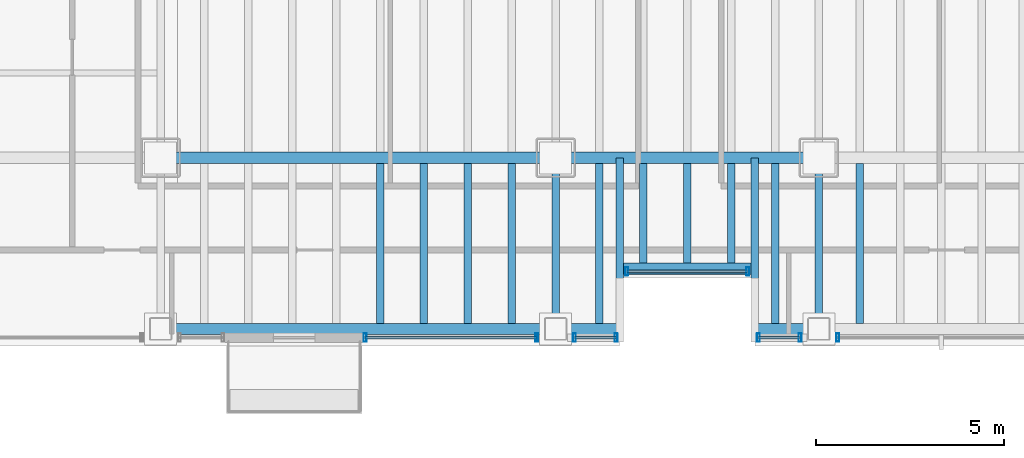
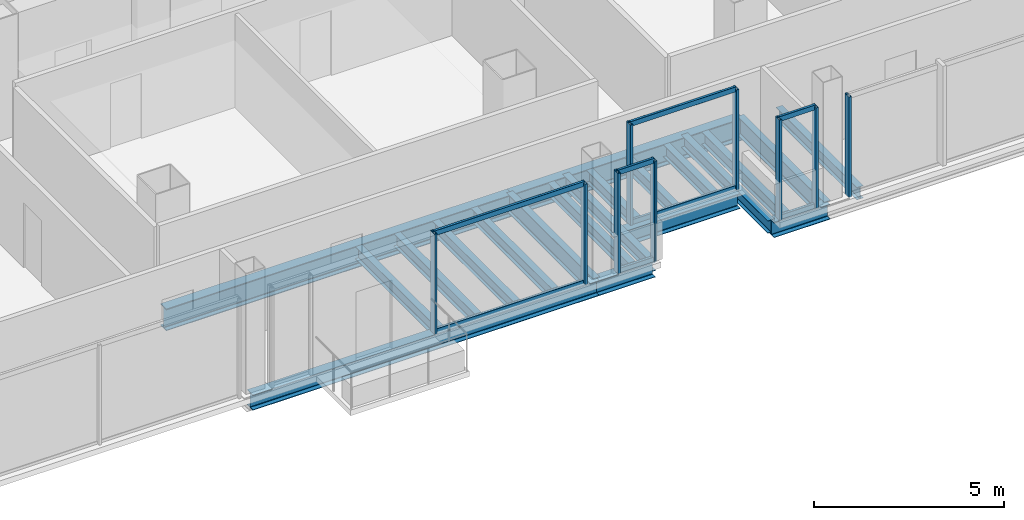
# One storey, part 4 of 21: 20 beams, 17 members, 5 elements without a shape of their own.
"""IFC4 building model written with IfcOpenShell, lengths in metres."""

from ifc_helpers import new_model, si_unit, direction, frame, origin, origin_2d, place, context, subcontext, project, spatial, hollow_rectangle, i_section, extrude, material, material_profile, profile_set, type_object, element, aggregate, save


model = new_model("IFC4")

# Units and contexts
model_context = context("Model", 3, precision=1e-05, world=origin(), true_north=direction((0.0, 1.0)))
body_context = subcontext(model_context, "Body", "Model", "MODEL_VIEW")
ifc_project = project(units=[si_unit("LENGTHUNIT", "METRE"), si_unit("AREAUNIT", "SQUARE_METRE"), si_unit("VOLUMEUNIT", "CUBIC_METRE"), si_unit("PLANEANGLEUNIT", "RADIAN"), si_unit("MASSUNIT", "GRAM", prefix="KILO")], contexts=[model_context])

# Site, building, storey
site_placement = place(None, origin())
site = spatial("IfcSite", under=ifc_project, at=site_placement, CompositionType="ELEMENT")
building_placement = place(site_placement, origin())
building = spatial("IfcBuilding", under=site, at=building_placement, Name="Noeulbin Bourse Tower", CompositionType="ELEMENT")
storey_placement = place(building_placement, frame((0.0, 0.0, 38.199951171875)))
storey = spatial("IfcBuildingStorey", under=building, at=storey_placement, Name="L09", CompositionType="ELEMENT", Elevation=38.199951171875)

# Beams
ifc_material_1 = material(Name="Steel S355", Category="steel")
ifc_material_profile_1 = material_profile(ifc_material_1, i_section(OverallWidth=0.199951171875, OverallDepth=0.60009765625, WebThickness=0.010986328125, FlangeThickness=0.01708984375, FilletRadius=0.02197265625, at=origin_2d()), Name="H-600x200x11x17", Category="LoadBearing")
ifc_profile_set_1 = profile_set([ifc_material_profile_1], Name="Steel S355")
beam_type_1 = type_object("IfcBeamType", Name="BM-GRD-600", PredefinedType="USERDEFINED", material=ifc_profile_set_1)
for number, where, z_axis, x_axis, name in (
    (1, (24.0, 15.449951171875, -0.47998046875), (0.0, 1.0, 0.0), (-1.0, 0.0, 0.0), "Tower Primary Girder NS L09-2.1"),
    (2, (31.0, 15.449951171875, -0.47998046875), (0.0, 1.0, 0.0), (-1.0, 0.0, 0.0), "Tower Primary Girder NS L09-3.1"),
):
    element("IfcBeam", number, at=place(storey_placement, frame(where, z_axis=z_axis, x_axis=x_axis)), inside=storey, type_object=beam_type_1, Name=name, ObjectType="GIRDER", PredefinedType="USERDEFINED", context=body_context, shape_type="SweptSolid", body=[
        extrude(i_section(OverallWidth=0.199951171875, OverallDepth=0.60009765625, WebThickness=0.010986328125, FlangeThickness=0.01708984375, FilletRadius=0.02197265625, at=origin_2d()), origin(), (0.0, 0.0, 1.0), 4.550048828125),
    ])
ifc_material_profile_2 = material_profile(ifc_material_1, i_section(OverallWidth=0.300048828125, OverallDepth=0.699951171875, WebThickness=0.012939453125, FlangeThickness=0.02392578125, FilletRadius=0.02392578125, at=origin_2d()), Name="H-700x300x13x24", Category="LoadBearing")
ifc_profile_set_2 = profile_set([ifc_material_profile_2], Name="Steel S355")
beam_type_2 = type_object("IfcBeamType", Name="BM-GRD-700", PredefinedType="USERDEFINED", material=ifc_profile_set_2)
beam_1_placement = place(storey_placement, frame((13.5, 20.0, -0.530029296875), z_axis=(1.0, 0.0, 0.0), x_axis=(0.0, 1.0, 0.0)))
element("IfcBeam", 3, at=beam_1_placement, inside=storey, type_object=beam_type_2, Name="Tower Primary Girder EW L09-1.2", ObjectType="GIRDER", PredefinedType="USERDEFINED", context=body_context, shape_type="SweptSolid", body=[
    extrude(i_section(OverallWidth=0.300048828125, OverallDepth=0.699951171875, WebThickness=0.012939453125, FlangeThickness=0.02392578125, FilletRadius=0.02392578125, at=origin_2d()), origin(), (0.0, 0.0, 1.0), 10.5),
])
beam_2_placement = place(storey_placement, frame((24.0, 20.0, -0.530029296875), z_axis=(1.0, 0.0, 0.0), x_axis=(0.0, 1.0, 0.0)))
element("IfcBeam", 4, at=beam_2_placement, inside=storey, type_object=beam_type_2, Name="Tower Primary Girder EW L09-1.3", ObjectType="GIRDER", PredefinedType="USERDEFINED", context=body_context, shape_type="SweptSolid", body=[
    extrude(i_section(OverallWidth=0.300048828125, OverallDepth=0.699951171875, WebThickness=0.012939453125, FlangeThickness=0.02392578125, FilletRadius=0.02392578125, at=origin_2d()), origin(), (0.0, 0.0, 1.0), 7.0),
])
ifc_material_profile_3 = material_profile(ifc_material_1, i_section(OverallWidth=0.199951171875, OverallDepth=0.39990234375, WebThickness=0.008056640625, FlangeThickness=0.012939453125, FilletRadius=0.01611328125, at=origin_2d()), Name="H-400x200x8x13", Category="LoadBearing")
ifc_profile_set_3 = profile_set([ifc_material_profile_3], Name="Steel S355")
beam_type_3 = type_object("IfcBeamType", Name="BM-SEC-400", PredefinedType="BEAM", material=ifc_profile_set_3)
for number, where, z_axis, x_axis, name in (
    (5, (25.699951171875, 15.449951171875, -0.3798828125), (0.0, 1.0, 0.0), (-1.0, 0.0, 0.0), "BM-L09-SRT-W"),
    (6, (29.300048828125, 15.449951171875, -0.3798828125), (0.0, 1.0, 0.0), (-1.0, 0.0, 0.0), "BM-L09-SRT-E"),
):
    element("IfcBeam", number, at=place(storey_placement, frame(where, z_axis=z_axis, x_axis=x_axis)), inside=storey, type_object=beam_type_3, Name=name, PredefinedType="BEAM", context=body_context, shape_type="SweptSolid", body=[
        extrude(i_section(OverallWidth=0.199951171875, OverallDepth=0.39990234375, WebThickness=0.008056640625, FlangeThickness=0.012939453125, FilletRadius=0.01611328125, at=origin_2d()), origin(), (0.0, 0.0, 1.0), 4.550048828125),
    ])
for number, where, z_axis, x_axis, name in (
    (7, (19.333251953125, 15.60009765625, -0.3798828125), (0.0, 1.0, 0.0), (-1.0, 0.0, 0.0), "Tower Composite Joist L09-13"),
    (8, (20.5, 15.60009765625, -0.3798828125), (0.0, 1.0, 0.0), (-1.0, 0.0, 0.0), "Tower Composite Joist L09-16"),
    (9, (21.666748046875, 15.60009765625, -0.3798828125), (0.0, 1.0, 0.0), (-1.0, 0.0, 0.0), "Tower Composite Joist L09-19"),
    (10, (22.833251953125, 15.60009765625, -0.3798828125), (0.0, 1.0, 0.0), (-1.0, 0.0, 0.0), "Tower Composite Joist L09-22"),
    (11, (25.166748046875, 15.60009765625, -0.3798828125), (0.0, 1.0, 0.0), (-1.0, 0.0, 0.0), "Tower Composite Joist L09-25"),
):
    element("IfcBeam", number, at=place(storey_placement, frame(where, z_axis=z_axis, x_axis=x_axis)), inside=storey, type_object=beam_type_3, Name=name, PredefinedType="BEAM", context=body_context, shape_type="SweptSolid", body=[
        extrude(i_section(OverallWidth=0.199951171875, OverallDepth=0.39990234375, WebThickness=0.008056640625, FlangeThickness=0.012939453125, FilletRadius=0.01611328125, at=origin_2d()), origin(), (0.0, 0.0, 1.0), 4.25),
    ])
for number, where, z_axis, x_axis, name in (
    (12, (26.333251953125, 17.199951171875, -0.3798828125), (0.0, 1.0, 0.0), (-1.0, 0.0, 0.0), "Tower Composite Joist L09-28"),
    (13, (27.5, 17.199951171875, -0.3798828125), (0.0, 1.0, 0.0), (-1.0, 0.0, 0.0), "Tower Composite Joist L09-31"),
    (14, (28.666748046875, 17.199951171875, -0.3798828125), (0.0, 1.0, 0.0), (-1.0, 0.0, 0.0), "Tower Composite Joist L09-34"),
):
    element("IfcBeam", number, at=place(storey_placement, frame(where, z_axis=z_axis, x_axis=x_axis)), inside=storey, type_object=beam_type_3, Name=name, PredefinedType="BEAM", context=body_context, shape_type="SweptSolid", body=[
        extrude(i_section(OverallWidth=0.199951171875, OverallDepth=0.39990234375, WebThickness=0.008056640625, FlangeThickness=0.012939453125, FilletRadius=0.01611328125, at=origin_2d()), origin(), (0.0, 0.0, 1.0), 2.650146484375),
    ])
for number, where, z_axis, x_axis, name in (
    (15, (29.833251953125, 15.60009765625, -0.3798828125), (0.0, 1.0, 0.0), (-1.0, 0.0, 0.0), "Tower Composite Joist L09-37"),
    (16, (32.083251953125, 15.60009765625, -0.3798828125), (0.0, 1.0, 0.0), (-1.0, 0.0, 0.0), "Tower Composite Joist L09-40"),
):
    element("IfcBeam", number, at=place(storey_placement, frame(where, z_axis=z_axis, x_axis=x_axis)), inside=storey, type_object=beam_type_3, Name=name, PredefinedType="BEAM", context=body_context, shape_type="SweptSolid", body=[
        extrude(i_section(OverallWidth=0.199951171875, OverallDepth=0.39990234375, WebThickness=0.008056640625, FlangeThickness=0.012939453125, FilletRadius=0.01611328125, at=origin_2d()), origin(), (0.0, 0.0, 1.0), 4.25),
    ])
ifc_material_profile_4 = material_profile(ifc_material_1, i_section(OverallWidth=0.300048828125, OverallDepth=0.488037109375, WebThickness=0.010986328125, FlangeThickness=0.01806640625, FilletRadius=0.02197265625, at=origin_2d()), Name="H-488x300x11x18", Category="LoadBearing")
ifc_profile_set_4 = profile_set([ifc_material_profile_4], Name="Steel S355")
beam_type_4 = type_object("IfcBeamType", Name="BM-SPN-488", PredefinedType="SPANDREL", material=ifc_profile_set_4)
beam_3_placement = place(storey_placement, frame((13.5, 15.449951171875, -0.424072265625), z_axis=(1.0, 0.0, 0.0), x_axis=(0.0, 1.0, 0.0)))
element("IfcBeam", 17, at=beam_3_placement, inside=storey, type_object=beam_type_4, Name="South Spandrel L09-1", PredefinedType="SPANDREL", context=body_context, shape_type="SweptSolid", body=[
    extrude(i_section(OverallWidth=0.300048828125, OverallDepth=0.488037109375, WebThickness=0.010986328125, FlangeThickness=0.01806640625, FilletRadius=0.02197265625, at=origin_2d()), origin(), (0.0, 0.0, 1.0), 10.5),
])
beam_4_placement = place(storey_placement, frame((25.800048828125, 17.050048828125, -0.424072265625), z_axis=(1.0, 0.0, 0.0), x_axis=(0.0, 1.0, 0.0)))
element("IfcBeam", 18, at=beam_4_placement, inside=storey, type_object=beam_type_4, Name="South Recess Spandrel L09-2B", PredefinedType="SPANDREL", context=body_context, shape_type="SweptSolid", body=[
    extrude(i_section(OverallWidth=0.300048828125, OverallDepth=0.488037109375, WebThickness=0.010986328125, FlangeThickness=0.01806640625, FilletRadius=0.02197265625, at=origin_2d()), origin(), (0.0, 0.0, 1.0), 3.39990234375),
])
for number, where, z_axis, x_axis, name in (
    (19, (24.0, 15.449951171875, -0.424072265625), (1.0, 0.0, 0.0), (0.0, 1.0, 0.0), "South Spandrel L09-2A"),
    (20, (29.300048828125, 15.449951171875, -0.424072265625), (1.0, 0.0, 0.0), (0.0, 1.0, 0.0), "South Spandrel L09-2C"),
):
    element("IfcBeam", number, at=place(storey_placement, frame(where, z_axis=z_axis, x_axis=x_axis)), inside=storey, type_object=beam_type_4, Name=name, PredefinedType="SPANDREL", context=body_context, shape_type="SweptSolid", body=[
        extrude(i_section(OverallWidth=0.300048828125, OverallDepth=0.488037109375, WebThickness=0.010986328125, FlangeThickness=0.01806640625, FilletRadius=0.02197265625, at=origin_2d()), origin(), (0.0, 0.0, 1.0), 1.699951171875),
    ])

# Curtain wall, members
ifc_material_2 = material(Name="Dark Solar-Control Double Glazing", Category="glass")
curtain_wall_type = type_object("IfcCurtainWallType", Name="CW-SYS-2", PredefinedType="NOTDEFINED", material=ifc_material_2)
curtain_wall_1_placement = place(storey_placement, origin())
curtain_wall_1 = element("IfcCurtainWall", 21, at=curtain_wall_1_placement, inside=storey, type_object=curtain_wall_type, Name="Unitised Curtain Wall CW-L09-SREC", PredefinedType="NOTDEFINED")
ifc_material_3 = material(Name="Anodised Aluminium 6063-T6", Category="aluminium")
ifc_material_profile_5 = material_profile(ifc_material_3, hollow_rectangle(XDim=0.074951171875, YDim=0.219970703125, WallThickness=0.0048828125, InnerFilletRadius=0.00244140625, OuterFilletRadius=0.0048828125, at=origin_2d()), Name="ALU-MULL-75x220x5", Category="LoadBearing")
ifc_profile_set_5 = profile_set([ifc_material_profile_5], Name="Anodised Aluminium 6063-T6")
member_type_1 = type_object("IfcMemberType", Name="CW-SYS-2-MUL", PredefinedType="MULLION", material=ifc_profile_set_5)
member_1_placement = place(storey_placement, frame((25.889892578125, 16.97998046875, -0.02001953125), z_axis=(0.0, 0.0, 1.0), x_axis=(1.0, 0.0, 0.0)))
member_1 = element("IfcMember", 22, at=member_1_placement, type_object=member_type_1, Name="Curtain Wall Mullion CW-L09-SREC-M00", PredefinedType="MULLION", context=body_context, shape_type="SweptSolid", body=[
    extrude(hollow_rectangle(XDim=0.074951171875, YDim=0.219970703125, WallThickness=0.0048828125, InnerFilletRadius=0.00244140625, OuterFilletRadius=0.0048828125, at=origin_2d()), origin(), (0.0, 0.0, 1.0), 3.219970703125),
])
member_2_placement = place(storey_placement, frame((29.110107421875, 16.97998046875, -0.02001953125), z_axis=(0.0, 0.0, 1.0), x_axis=(1.0, 0.0, 0.0)))
member_2 = element("IfcMember", 23, at=member_2_placement, type_object=member_type_1, Name="Curtain Wall Mullion CW-L09-SREC-M01", PredefinedType="MULLION", context=body_context, shape_type="SweptSolid", body=[
    extrude(hollow_rectangle(XDim=0.074951171875, YDim=0.219970703125, WallThickness=0.0048828125, InnerFilletRadius=0.00244140625, OuterFilletRadius=0.0048828125, at=origin_2d()), origin(), (0.0, 0.0, 1.0), 3.219970703125),
])

curtain_wall_2_placement = place(storey_placement, origin())
curtain_wall_2 = element("IfcCurtainWall", 24, at=curtain_wall_2_placement, inside=storey, type_object=curtain_wall_type, Name="Unitised Curtain Wall CW-L09-S2-S1", PredefinedType="NOTDEFINED")
member_3_placement = place(storey_placement, frame((18.93994140625, 15.219970703125, -0.02001953125), z_axis=(0.0, 0.0, 1.0), x_axis=(1.0, 0.0, 0.0)))
member_3 = element("IfcMember", 25, at=member_3_placement, type_object=member_type_1, Name="Curtain Wall Mullion CW-L09-S2-S1-M00", PredefinedType="MULLION", context=body_context, shape_type="SweptSolid", body=[
    extrude(hollow_rectangle(XDim=0.074951171875, YDim=0.219970703125, WallThickness=0.0048828125, InnerFilletRadius=0.00244140625, OuterFilletRadius=0.0048828125, at=origin_2d()), origin(), (0.0, 0.0, 1.0), 3.219970703125),
])
member_4_placement = place(storey_placement, frame((23.5, 15.219970703125, -0.02001953125), z_axis=(0.0, 0.0, 1.0), x_axis=(1.0, 0.0, 0.0)))
member_4 = element("IfcMember", 26, at=member_4_placement, type_object=member_type_1, Name="Curtain Wall Mullion CW-L09-S2-S1-M01", PredefinedType="MULLION", context=body_context, shape_type="SweptSolid", body=[
    extrude(hollow_rectangle(XDim=0.074951171875, YDim=0.219970703125, WallThickness=0.0048828125, InnerFilletRadius=0.00244140625, OuterFilletRadius=0.0048828125, at=origin_2d()), origin(), (0.0, 0.0, 1.0), 3.219970703125),
])

curtain_wall_3_placement = place(storey_placement, origin())
curtain_wall_3 = element("IfcCurtainWall", 27, at=curtain_wall_3_placement, inside=storey, type_object=curtain_wall_type, Name="Unitised Curtain Wall CW-L09-S2-S2", PredefinedType="NOTDEFINED")
member_5_placement = place(storey_placement, frame((24.5, 15.219970703125, -0.02001953125), z_axis=(0.0, 0.0, 1.0), x_axis=(1.0, 0.0, 0.0)))
member_5 = element("IfcMember", 28, at=member_5_placement, type_object=member_type_1, Name="Curtain Wall Mullion CW-L09-S2-S2-M00", PredefinedType="MULLION", context=body_context, shape_type="SweptSolid", body=[
    extrude(hollow_rectangle(XDim=0.074951171875, YDim=0.219970703125, WallThickness=0.0048828125, InnerFilletRadius=0.00244140625, OuterFilletRadius=0.0048828125, at=origin_2d()), origin(), (0.0, 0.0, 1.0), 3.219970703125),
])
member_6_placement = place(storey_placement, frame((25.610107421875, 15.219970703125, -0.02001953125), z_axis=(0.0, 0.0, 1.0), x_axis=(1.0, 0.0, 0.0)))
member_6 = element("IfcMember", 29, at=member_6_placement, type_object=member_type_1, Name="Curtain Wall Mullion CW-L09-S2-S2-M01", PredefinedType="MULLION", context=body_context, shape_type="SweptSolid", body=[
    extrude(hollow_rectangle(XDim=0.074951171875, YDim=0.219970703125, WallThickness=0.0048828125, InnerFilletRadius=0.00244140625, OuterFilletRadius=0.0048828125, at=origin_2d()), origin(), (0.0, 0.0, 1.0), 3.219970703125),
])

curtain_wall_4_placement = place(storey_placement, origin())
curtain_wall_4 = element("IfcCurtainWall", 30, at=curtain_wall_4_placement, inside=storey, type_object=curtain_wall_type, Name="Unitised Curtain Wall CW-L09-S3-S1", PredefinedType="NOTDEFINED")
member_7_placement = place(storey_placement, frame((29.389892578125, 15.219970703125, -0.02001953125), z_axis=(0.0, 0.0, 1.0), x_axis=(1.0, 0.0, 0.0)))
member_7 = element("IfcMember", 31, at=member_7_placement, type_object=member_type_1, Name="Curtain Wall Mullion CW-L09-S3-S1-M00", PredefinedType="MULLION", context=body_context, shape_type="SweptSolid", body=[
    extrude(hollow_rectangle(XDim=0.074951171875, YDim=0.219970703125, WallThickness=0.0048828125, InnerFilletRadius=0.00244140625, OuterFilletRadius=0.0048828125, at=origin_2d()), origin(), (0.0, 0.0, 1.0), 3.219970703125),
])
member_8_placement = place(storey_placement, frame((30.5, 15.219970703125, -0.02001953125), z_axis=(0.0, 0.0, 1.0), x_axis=(1.0, 0.0, 0.0)))
member_8 = element("IfcMember", 32, at=member_8_placement, type_object=member_type_1, Name="Curtain Wall Mullion CW-L09-S3-S1-M01", PredefinedType="MULLION", context=body_context, shape_type="SweptSolid", body=[
    extrude(hollow_rectangle(XDim=0.074951171875, YDim=0.219970703125, WallThickness=0.0048828125, InnerFilletRadius=0.00244140625, OuterFilletRadius=0.0048828125, at=origin_2d()), origin(), (0.0, 0.0, 1.0), 3.219970703125),
])

# Curtain wall, member
curtain_wall_5_placement = place(storey_placement, origin())
curtain_wall_5 = element("IfcCurtainWall", 33, at=curtain_wall_5_placement, inside=storey, type_object=curtain_wall_type, Name="Unitised Curtain Wall CW-L09-S3-S2", PredefinedType="NOTDEFINED")
member_9_placement = place(storey_placement, frame((31.5, 15.219970703125, -0.02001953125), z_axis=(0.0, 0.0, 1.0), x_axis=(1.0, 0.0, 0.0)))
member_9 = element("IfcMember", 34, at=member_9_placement, type_object=member_type_1, Name="Curtain Wall Mullion CW-L09-S3-S2-M00", PredefinedType="MULLION", context=body_context, shape_type="SweptSolid", body=[
    extrude(hollow_rectangle(XDim=0.074951171875, YDim=0.219970703125, WallThickness=0.0048828125, InnerFilletRadius=0.00244140625, OuterFilletRadius=0.0048828125, at=origin_2d()), origin(), (0.0, 0.0, 1.0), 3.219970703125),
])
aggregate(curtain_wall_5, [member_9])

# Member
ifc_material_profile_6 = material_profile(ifc_material_3, hollow_rectangle(XDim=0.074951171875, YDim=0.159912109375, WallThickness=0.0048828125, InnerFilletRadius=0.00244140625, OuterFilletRadius=0.0048828125, at=origin_2d()), Name="ALU-TRAN-75x160x5", Category="LoadBearing")
ifc_profile_set_6 = profile_set([ifc_material_profile_6], Name="Anodised Aluminium 6063-T6")
member_type_2 = type_object("IfcMemberType", Name="CW-SYS-2-TRN", PredefinedType="USERDEFINED", material=ifc_profile_set_6)
member_10_placement = place(storey_placement, frame((25.89990234375, 16.97998046875, 0.010009765625), z_axis=(1.0, 0.0, 0.0), x_axis=(0.0, 1.0, 0.0)))
member_10 = element("IfcMember", 35, at=member_10_placement, type_object=member_type_2, Name="Curtain Wall Transom CW-L09-SREC-T00", ObjectType="TRANSOM", PredefinedType="USERDEFINED", context=body_context, shape_type="SweptSolid", body=[
    extrude(hollow_rectangle(XDim=0.074951171875, YDim=0.159912109375, WallThickness=0.0048828125, InnerFilletRadius=0.00244140625, OuterFilletRadius=0.0048828125, at=origin_2d()), origin(), (0.0, 0.0, 1.0), 3.2001953125),
])

member_11_placement = place(storey_placement, frame((25.89990234375, 16.97998046875, 3.170166015625), z_axis=(1.0, 0.0, 0.0), x_axis=(0.0, 1.0, 0.0)))
member_11 = element("IfcMember", 36, at=member_11_placement, type_object=member_type_2, Name="Curtain Wall Transom CW-L09-SREC-T01", ObjectType="TRANSOM", PredefinedType="USERDEFINED", context=body_context, shape_type="SweptSolid", body=[
    extrude(hollow_rectangle(XDim=0.074951171875, YDim=0.159912109375, WallThickness=0.0048828125, InnerFilletRadius=0.00244140625, OuterFilletRadius=0.0048828125, at=origin_2d()), origin(), (0.0, 0.0, 1.0), 3.2001953125),
])

aggregate(curtain_wall_1, [member_1, member_2, member_10, member_11])

member_12_placement = place(storey_placement, frame((18.949951171875, 15.219970703125, 0.010009765625), z_axis=(1.0, 0.0, 0.0), x_axis=(0.0, 1.0, 0.0)))
member_12 = element("IfcMember", 37, at=member_12_placement, type_object=member_type_2, Name="Curtain Wall Transom CW-L09-S2-S1-T00", ObjectType="TRANSOM", PredefinedType="USERDEFINED", context=body_context, shape_type="SweptSolid", body=[
    extrude(hollow_rectangle(XDim=0.074951171875, YDim=0.159912109375, WallThickness=0.0048828125, InnerFilletRadius=0.00244140625, OuterFilletRadius=0.0048828125, at=origin_2d()), origin(), (0.0, 0.0, 1.0), 4.5400390625),
])

member_13_placement = place(storey_placement, frame((18.949951171875, 15.219970703125, 3.170166015625), z_axis=(1.0, 0.0, 0.0), x_axis=(0.0, 1.0, 0.0)))
member_13 = element("IfcMember", 38, at=member_13_placement, type_object=member_type_2, Name="Curtain Wall Transom CW-L09-S2-S1-T01", ObjectType="TRANSOM", PredefinedType="USERDEFINED", context=body_context, shape_type="SweptSolid", body=[
    extrude(hollow_rectangle(XDim=0.074951171875, YDim=0.159912109375, WallThickness=0.0048828125, InnerFilletRadius=0.00244140625, OuterFilletRadius=0.0048828125, at=origin_2d()), origin(), (0.0, 0.0, 1.0), 4.5400390625),
])

aggregate(curtain_wall_2, [member_3, member_4, member_12, member_13])

member_14_placement = place(storey_placement, frame((24.510009765625, 15.219970703125, 0.010009765625), z_axis=(1.0, 0.0, 0.0), x_axis=(0.0, 1.0, 0.0)))
member_14 = element("IfcMember", 39, at=member_14_placement, type_object=member_type_2, Name="Curtain Wall Transom CW-L09-S2-S2-T00", ObjectType="TRANSOM", PredefinedType="USERDEFINED", context=body_context, shape_type="SweptSolid", body=[
    extrude(hollow_rectangle(XDim=0.074951171875, YDim=0.159912109375, WallThickness=0.0048828125, InnerFilletRadius=0.00244140625, OuterFilletRadius=0.0048828125, at=origin_2d()), origin(), (0.0, 0.0, 1.0), 1.090087890625),
])

member_15_placement = place(storey_placement, frame((24.510009765625, 15.219970703125, 3.170166015625), z_axis=(1.0, 0.0, 0.0), x_axis=(0.0, 1.0, 0.0)))
member_15 = element("IfcMember", 40, at=member_15_placement, type_object=member_type_2, Name="Curtain Wall Transom CW-L09-S2-S2-T01", ObjectType="TRANSOM", PredefinedType="USERDEFINED", context=body_context, shape_type="SweptSolid", body=[
    extrude(hollow_rectangle(XDim=0.074951171875, YDim=0.159912109375, WallThickness=0.0048828125, InnerFilletRadius=0.00244140625, OuterFilletRadius=0.0048828125, at=origin_2d()), origin(), (0.0, 0.0, 1.0), 1.090087890625),
])

aggregate(curtain_wall_3, [member_5, member_6, member_14, member_15])

member_16_placement = place(storey_placement, frame((29.39990234375, 15.219970703125, 0.010009765625), z_axis=(1.0, 0.0, 0.0), x_axis=(0.0, 1.0, 0.0)))
member_16 = element("IfcMember", 41, at=member_16_placement, type_object=member_type_2, Name="Curtain Wall Transom CW-L09-S3-S1-T00", ObjectType="TRANSOM", PredefinedType="USERDEFINED", context=body_context, shape_type="SweptSolid", body=[
    extrude(hollow_rectangle(XDim=0.074951171875, YDim=0.159912109375, WallThickness=0.0048828125, InnerFilletRadius=0.00244140625, OuterFilletRadius=0.0048828125, at=origin_2d()), origin(), (0.0, 0.0, 1.0), 1.090087890625),
])

member_17_placement = place(storey_placement, frame((29.39990234375, 15.219970703125, 3.170166015625), z_axis=(1.0, 0.0, 0.0), x_axis=(0.0, 1.0, 0.0)))
member_17 = element("IfcMember", 42, at=member_17_placement, type_object=member_type_2, Name="Curtain Wall Transom CW-L09-S3-S1-T01", ObjectType="TRANSOM", PredefinedType="USERDEFINED", context=body_context, shape_type="SweptSolid", body=[
    extrude(hollow_rectangle(XDim=0.074951171875, YDim=0.159912109375, WallThickness=0.0048828125, InnerFilletRadius=0.00244140625, OuterFilletRadius=0.0048828125, at=origin_2d()), origin(), (0.0, 0.0, 1.0), 1.090087890625),
])

aggregate(curtain_wall_4, [member_7, member_8, member_16, member_17])

save(model, "model.ifc")
